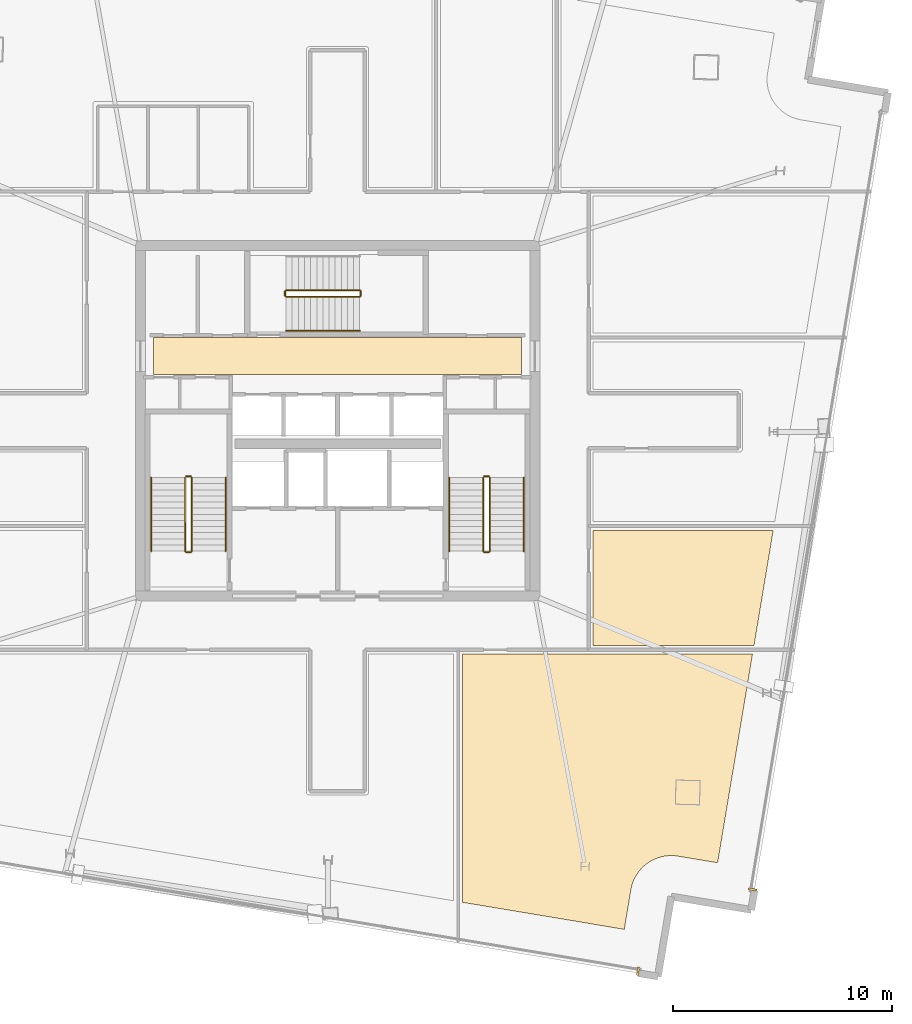
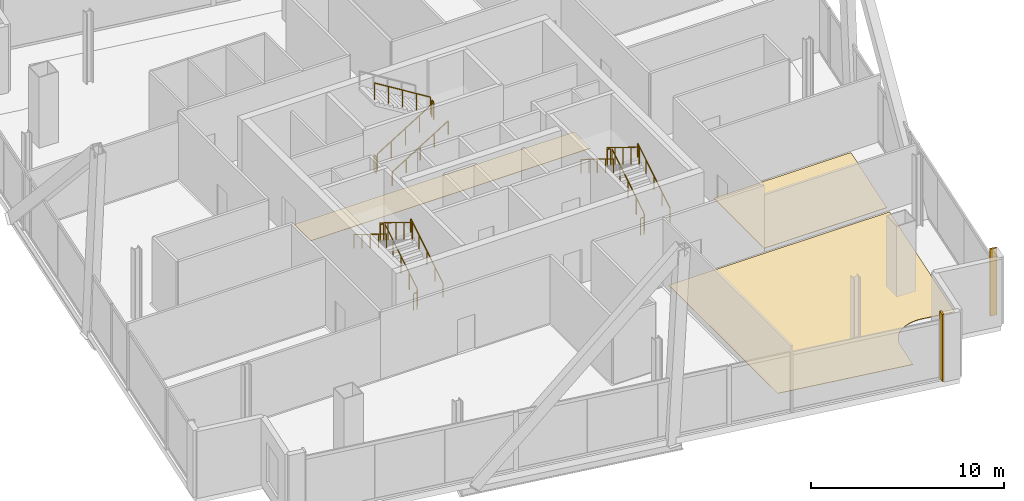
# One storey, part 17 of 18: 17 railings, 5 coverings.
"""IFC4 building model written with IfcOpenShell, lengths in metres."""

from ifc_helpers import new_model, si_unit, direction, frame, origin, origin_2d, place, context, subcontext, project, spatial, polyline, rectangle, outline, extrude, source, transform, mapped, material, layer, layer_set, type_object, element, save


model = new_model("IFC4")

# Units and contexts
model_context = context("Model", 3, precision=1e-05, world=origin(), true_north=direction((0.0, 1.0)))
body_context = subcontext(model_context, "Body", "Model", "MODEL_VIEW")
ifc_project = project(units=[si_unit("LENGTHUNIT", "METRE"), si_unit("AREAUNIT", "SQUARE_METRE"), si_unit("VOLUMEUNIT", "CUBIC_METRE"), si_unit("PLANEANGLEUNIT", "RADIAN"), si_unit("MASSUNIT", "GRAM", prefix="KILO")], contexts=[model_context])

# Site, building, storey
site_placement = place(None, origin())
site = spatial("IfcSite", under=ifc_project, at=site_placement, CompositionType="ELEMENT")
building_placement = place(site_placement, origin())
building = spatial("IfcBuilding", under=site, at=building_placement, Name="Haldenkirk Collegiate Tower", CompositionType="ELEMENT")
storey_placement = place(building_placement, frame((0.0, 0.0, 298.199951171875)))
storey = spatial("IfcBuildingStorey", under=building, at=storey_placement, Name="L75", CompositionType="ELEMENT", Elevation=298.199951171875)

# Coverings
ifc_material_1 = material(Name="Polished collegiate terrazzo", Category="concrete")
ifc_layer_1 = layer(ifc_material_1, 0.02490234375)
ifc_layer_set_1 = layer_set([ifc_layer_1], Name="Polished collegiate terrazzo")
covering_type_1 = type_object("IfcCoveringType", Name="COV-FLOOR-TERRAZZO", PredefinedType="FLOORING", material=ifc_layer_set_1)
covering_1_placement = place(storey_placement, origin())
element("IfcCovering", 1, at=covering_1_placement, inside=storey, type_object=covering_type_1, Name="L75 polished terrazzo lobby finish", PredefinedType="FLOORING", context=body_context, shape_type="SweptSolid", body=[
    extrude(outline(polyline([(27.60009765625, 28.10009765625), (44.39990234375, 28.10009765625), (44.39990234375, 29.800048828125), (27.60009765625, 29.800048828125), (27.60009765625, 28.10009765625)])), origin(), (0.0, 0.0, 1.0), 0.025146484375),
])
covering_2_placement = place(storey_placement, origin())
element("IfcCovering", 2, at=covering_2_placement, inside=storey, type_object=covering_type_1, Name="L75 academic room finish 02", PredefinedType="FLOORING", context=body_context, shape_type="SweptSolid", body=[
    extrude(outline(polyline([(50.810546875, 6.112548828125), (50.79931640625, 6.10986328125), (50.634033203125, 6.063232421875), (50.622802734375, 6.059326171875), (50.462890625, 5.99658203125), (50.4521484375, 5.99169921875), (50.29931640625, 5.913818359375), (50.2890625, 5.90771484375), (50.14453125, 5.81494140625), (50.135009765625, 5.80810546875), (50.0, 5.70166015625), (49.9912109375, 5.69384765625), (49.86767578125, 5.57470703125), (49.859619140625, 5.566162109375), (49.748291015625, 5.435546875), (49.740966796875, 5.42626953125), (49.642822265625, 5.28515625), (49.63671875, 5.275146484375), (49.552978515625, 5.125244140625), (49.547607421875, 5.11474609375), (49.47900390625, 4.957275390625), (49.474853515625, 4.9462890625), (49.421875, 4.782958984375), (49.4189453125, 4.771484375), (49.38232421875, 4.603759765625), (49.381103515625, 4.597900390625), (49.0791015625, 2.793212890625), (41.699951171875, 4.02783203125), (41.699951171875, 15.35009765625), (54.931884765625, 15.35009765625), (53.339111328125, 5.83154296875), (51.5341796875, 6.1337890625), (51.5283203125, 6.134521484375), (51.35791015625, 6.154541015625), (51.345947265625, 6.1552734375), (51.17431640625, 6.158447265625), (51.16259765625, 6.158203125), (50.9912109375, 6.144287109375), (50.979736328125, 6.142822265625), (50.810546875, 6.112548828125)])), origin(), (0.0, 0.0, 1.0), 0.025146484375),
])
covering_3_placement = place(storey_placement, origin())
element("IfcCovering", 3, at=covering_3_placement, inside=storey, type_object=covering_type_1, Name="L75 academic room finish 08", PredefinedType="FLOORING", context=body_context, shape_type="SweptSolid", body=[
    extrude(outline(polyline([(54.998779296875, 15.75), (47.64990234375, 15.75), (47.64990234375, 21.0), (55.87744140625, 21.0), (54.998779296875, 15.75)])), origin(), (0.0, 0.0, 1.0), 0.025146484375),
])

# Railings
ifc_material_2 = material(Name="Painted architectural tubular steel", Category="steel")
railing_type_1 = type_object("IfcRailingType", Name="RLG-STAIR-GUARD-1100", PredefinedType="BALUSTRADE", material=ifc_material_2)
railing_1_placement = place(storey_placement, frame((29.35009765625, 20.050048828125, 0.173095703125)))
element("IfcRailing", 4, at=railing_1_placement, inside=storey, type_object=railing_type_1, Name="L75 ST-1 stair guard 1", PredefinedType="BALUSTRADE", context=body_context, shape_type="SweptSolid", body=[
    extrude(rectangle(XDim=0.048095703125, YDim=0.048095703125, at=origin_2d()), frame((0.0, 0.0, 1.076171875), z_axis=(0.0, 0.850606129759, 0.525803396734), x_axis=(-1.0, 0.0, 0.0)), (0.0, 0.0, 1.0), 3.949951171875),
    extrude(rectangle(XDim=0.0419921875, YDim=0.0419921875, at=origin_2d()), origin(), (0.0, 0.0, 1.0), 1.052001953125),
    extrude(rectangle(XDim=0.0419921875, YDim=0.0419921875, at=origin_2d()), frame((0.0, 0.83984375, 0.519287109375)), (0.0, 0.0, 1.0), 1.052001953125),
    extrude(rectangle(XDim=0.0419921875, YDim=0.0419921875, at=origin_2d()), frame((0.0, 1.679931640625, 1.03857421875)), (0.0, 0.0, 1.0), 1.052001953125),
    extrude(rectangle(XDim=0.0419921875, YDim=0.0419921875, at=origin_2d()), frame((0.0, 2.52001953125, 1.5576171875)), (0.0, 0.0, 1.0), 1.052001953125),
    extrude(rectangle(XDim=0.0419921875, YDim=0.0419921875, at=origin_2d()), frame((0.0, 3.35986328125, 2.076904296875)), (0.0, 0.0, 1.0), 1.052001953125),
])
railing_2_placement = place(storey_placement, frame((29.300048828125, 23.4599609375, 2.25)))
element("IfcRailing", 5, at=railing_2_placement, inside=storey, type_object=railing_type_1, Name="L75 ST-1 stair guard 2", PredefinedType="BALUSTRADE", context=body_context, shape_type="SweptSolid", body=[
    extrude(rectangle(XDim=0.048095703125, YDim=0.048095703125, at=origin_2d()), frame((0.0, 0.0, 1.076171875), z_axis=(-1.0, 0.0, 0.0), x_axis=(0.0, -1.0, 0.0)), (0.0, 0.0, 1.0), 0.199951171875),
    extrude(rectangle(XDim=0.0419921875, YDim=0.0419921875, at=origin_2d()), origin(), (0.0, 0.0, 1.0), 1.052001953125),
    extrude(rectangle(XDim=0.0419921875, YDim=0.0419921875, at=origin_2d()), frame((-0.199951171875, 0.0, 0.0)), (0.0, 0.0, 1.0), 1.052001953125),
])
railing_3_placement = place(storey_placement, frame((29.050048828125, 23.409912109375, 2.423095703125)))
element("IfcRailing", 6, at=railing_3_placement, inside=storey, type_object=railing_type_1, Name="L75 ST-1 stair guard 3", PredefinedType="BALUSTRADE", context=body_context, shape_type="SweptSolid", body=[
    extrude(rectangle(XDim=0.048095703125, YDim=0.048095703125, at=origin_2d()), frame((0.0, 0.0, 1.076171875), z_axis=(0.0, -0.850606129759, 0.525803396734), x_axis=(1.0, 0.0, 0.0)), (0.0, 0.0, 1.0), 3.949951171875),
    extrude(rectangle(XDim=0.0419921875, YDim=0.0419921875, at=origin_2d()), origin(), (0.0, 0.0, 1.0), 1.052001953125),
    extrude(rectangle(XDim=0.0419921875, YDim=0.0419921875, at=origin_2d()), frame((0.0, -0.83984375, 0.519287109375)), (0.0, 0.0, 1.0), 1.052001953125),
    extrude(rectangle(XDim=0.0419921875, YDim=0.0419921875, at=origin_2d()), frame((0.0, -1.679931640625, 1.03857421875)), (0.0, 0.0, 1.0), 1.052001953125),
    extrude(rectangle(XDim=0.0419921875, YDim=0.0419921875, at=origin_2d()), frame((0.0, -2.52001953125, 1.5576171875)), (0.0, 0.0, 1.0), 1.052001953125),
    extrude(rectangle(XDim=0.0419921875, YDim=0.0419921875, at=origin_2d()), frame((0.0, -3.35986328125, 2.076904296875)), (0.0, 0.0, 1.0), 1.052001953125),
])
railing_4_placement = place(storey_placement, frame((29.300048828125, 20.0, 0.0)))
element("IfcRailing", 7, at=railing_4_placement, inside=storey, type_object=railing_type_1, Name="L75 ST-1 stair guard 4", PredefinedType="BALUSTRADE", context=body_context, shape_type="SweptSolid", body=[
    extrude(rectangle(XDim=0.048095703125, YDim=0.048095703125, at=origin_2d()), frame((0.0, 0.0, 1.076171875), z_axis=(-1.0, 0.0, 0.0), x_axis=(0.0, -1.0, 0.0)), (0.0, 0.0, 1.0), 0.199951171875),
    extrude(rectangle(XDim=0.0419921875, YDim=0.0419921875, at=origin_2d()), origin(), (0.0, 0.0, 1.0), 1.052001953125),
    extrude(rectangle(XDim=0.0419921875, YDim=0.0419921875, at=origin_2d()), frame((-0.199951171875, 0.0, 0.0)), (0.0, 0.0, 1.0), 1.052001953125),
])
railing_5_placement = place(storey_placement, frame((42.949951171875, 20.050048828125, 0.173095703125)))
element("IfcRailing", 8, at=railing_5_placement, inside=storey, type_object=railing_type_1, Name="L75 ST-2 stair guard 1", PredefinedType="BALUSTRADE", context=body_context, shape_type="SweptSolid", body=[
    extrude(rectangle(XDim=0.048095703125, YDim=0.048095703125, at=origin_2d()), frame((0.0, 0.0, 1.076171875), z_axis=(0.0, 0.850606129759, 0.525803396734), x_axis=(-1.0, 0.0, 0.0)), (0.0, 0.0, 1.0), 3.949951171875),
    extrude(rectangle(XDim=0.0419921875, YDim=0.0419921875, at=origin_2d()), origin(), (0.0, 0.0, 1.0), 1.052001953125),
    extrude(rectangle(XDim=0.0419921875, YDim=0.0419921875, at=origin_2d()), frame((0.0, 0.83984375, 0.519287109375)), (0.0, 0.0, 1.0), 1.052001953125),
    extrude(rectangle(XDim=0.0419921875, YDim=0.0419921875, at=origin_2d()), frame((0.0, 1.679931640625, 1.03857421875)), (0.0, 0.0, 1.0), 1.052001953125),
    extrude(rectangle(XDim=0.0419921875, YDim=0.0419921875, at=origin_2d()), frame((0.0, 2.52001953125, 1.5576171875)), (0.0, 0.0, 1.0), 1.052001953125),
    extrude(rectangle(XDim=0.0419921875, YDim=0.0419921875, at=origin_2d()), frame((0.0, 3.35986328125, 2.076904296875)), (0.0, 0.0, 1.0), 1.052001953125),
])
railing_6_placement = place(storey_placement, frame((42.89990234375, 23.4599609375, 2.25)))
element("IfcRailing", 9, at=railing_6_placement, inside=storey, type_object=railing_type_1, Name="L75 ST-2 stair guard 2", PredefinedType="BALUSTRADE", context=body_context, shape_type="SweptSolid", body=[
    extrude(rectangle(XDim=0.048095703125, YDim=0.048095703125, at=origin_2d()), frame((0.0, 0.0, 1.076171875), z_axis=(-1.0, 0.0, 0.0), x_axis=(0.0, -1.0, 0.0)), (0.0, 0.0, 1.0), 0.199951171875),
    extrude(rectangle(XDim=0.0419921875, YDim=0.0419921875, at=origin_2d()), origin(), (0.0, 0.0, 1.0), 1.052001953125),
    extrude(rectangle(XDim=0.0419921875, YDim=0.0419921875, at=origin_2d()), frame((-0.199951171875, 0.0, 0.0)), (0.0, 0.0, 1.0), 1.052001953125),
])
railing_7_placement = place(storey_placement, frame((42.64990234375, 23.409912109375, 2.423095703125)))
element("IfcRailing", 10, at=railing_7_placement, inside=storey, type_object=railing_type_1, Name="L75 ST-2 stair guard 3", PredefinedType="BALUSTRADE", context=body_context, shape_type="SweptSolid", body=[
    extrude(rectangle(XDim=0.048095703125, YDim=0.048095703125, at=origin_2d()), frame((0.0, 0.0, 1.076171875), z_axis=(0.0, -0.850606129759, 0.525803396734), x_axis=(1.0, 0.0, 0.0)), (0.0, 0.0, 1.0), 3.949951171875),
    extrude(rectangle(XDim=0.0419921875, YDim=0.0419921875, at=origin_2d()), origin(), (0.0, 0.0, 1.0), 1.052001953125),
    extrude(rectangle(XDim=0.0419921875, YDim=0.0419921875, at=origin_2d()), frame((0.0, -0.83984375, 0.519287109375)), (0.0, 0.0, 1.0), 1.052001953125),
    extrude(rectangle(XDim=0.0419921875, YDim=0.0419921875, at=origin_2d()), frame((0.0, -1.679931640625, 1.03857421875)), (0.0, 0.0, 1.0), 1.052001953125),
    extrude(rectangle(XDim=0.0419921875, YDim=0.0419921875, at=origin_2d()), frame((0.0, -2.52001953125, 1.5576171875)), (0.0, 0.0, 1.0), 1.052001953125),
    extrude(rectangle(XDim=0.0419921875, YDim=0.0419921875, at=origin_2d()), frame((0.0, -3.35986328125, 2.076904296875)), (0.0, 0.0, 1.0), 1.052001953125),
])
railing_8_placement = place(storey_placement, frame((42.89990234375, 20.0, 0.0)))
element("IfcRailing", 11, at=railing_8_placement, inside=storey, type_object=railing_type_1, Name="L75 ST-2 stair guard 4", PredefinedType="BALUSTRADE", context=body_context, shape_type="SweptSolid", body=[
    extrude(rectangle(XDim=0.048095703125, YDim=0.048095703125, at=origin_2d()), frame((0.0, 0.0, 1.076171875), z_axis=(-1.0, 0.0, 0.0), x_axis=(0.0, -1.0, 0.0)), (0.0, 0.0, 1.0), 0.199951171875),
    extrude(rectangle(XDim=0.0419921875, YDim=0.0419921875, at=origin_2d()), origin(), (0.0, 0.0, 1.0), 1.052001953125),
    extrude(rectangle(XDim=0.0419921875, YDim=0.0419921875, at=origin_2d()), frame((-0.199951171875, 0.0, 0.0)), (0.0, 0.0, 1.0), 1.052001953125),
])
railing_9_placement = place(storey_placement, frame((33.64990234375, 31.64990234375, 0.173095703125)))
element("IfcRailing", 12, at=railing_9_placement, inside=storey, type_object=railing_type_1, Name="L75 ST-3 stair guard 1", PredefinedType="BALUSTRADE", context=body_context, shape_type="SweptSolid", body=[
    extrude(rectangle(XDim=0.048095703125, YDim=0.048095703125, at=origin_2d()), frame((0.0, 0.0, 1.076171875), z_axis=(0.850623216509, 0.0, 0.525775754039), x_axis=(0.0, 1.0, 0.0)), (0.0, 0.0, 1.0), 3.9501953125),
    extrude(rectangle(XDim=0.0419921875, YDim=0.0419921875, at=origin_2d()), origin(), (0.0, 0.0, 1.0), 1.052001953125),
    extrude(rectangle(XDim=0.0419921875, YDim=0.0419921875, at=origin_2d()), frame((0.840087890625, 0.0, 0.519287109375)), (0.0, 0.0, 1.0), 1.052001953125),
    extrude(rectangle(XDim=0.0419921875, YDim=0.0419921875, at=origin_2d()), frame((1.68017578125, 0.0, 1.03857421875)), (0.0, 0.0, 1.0), 1.052001953125),
    extrude(rectangle(XDim=0.0419921875, YDim=0.0419921875, at=origin_2d()), frame((2.52001953125, 0.0, 1.5576171875)), (0.0, 0.0, 1.0), 1.052001953125),
    extrude(rectangle(XDim=0.0419921875, YDim=0.0419921875, at=origin_2d()), frame((3.360107421875, 0.0, 2.076904296875)), (0.0, 0.0, 1.0), 1.052001953125),
])
railing_10_placement = place(storey_placement, frame((37.06005859375, 31.699951171875, 2.25)))
element("IfcRailing", 13, at=railing_10_placement, inside=storey, type_object=railing_type_1, Name="L75 ST-3 stair guard 2", PredefinedType="BALUSTRADE", context=body_context, shape_type="SweptSolid", body=[
    extrude(rectangle(XDim=0.048095703125, YDim=0.048095703125, at=origin_2d()), frame((0.0, 0.0, 1.076171875), z_axis=(0.0, 1.0, 0.0), x_axis=(-1.0, 0.0, 0.0)), (0.0, 0.0, 1.0), 0.199951171875),
    extrude(rectangle(XDim=0.0419921875, YDim=0.0419921875, at=origin_2d()), origin(), (0.0, 0.0, 1.0), 1.052001953125),
    extrude(rectangle(XDim=0.0419921875, YDim=0.0419921875, at=origin_2d()), frame((0.0, 0.199951171875, 0.0)), (0.0, 0.0, 1.0), 1.052001953125),
])
railing_11_placement = place(storey_placement, frame((37.010009765625, 31.949951171875, 2.423095703125)))
element("IfcRailing", 14, at=railing_11_placement, inside=storey, type_object=railing_type_1, Name="L75 ST-3 stair guard 3", PredefinedType="BALUSTRADE", context=body_context, shape_type="SweptSolid", body=[
    extrude(rectangle(XDim=0.048095703125, YDim=0.048095703125, at=origin_2d()), frame((0.0, 0.0, 1.076171875), z_axis=(-0.850623216509, 0.0, 0.525775754039), x_axis=(0.0, -1.0, 0.0)), (0.0, 0.0, 1.0), 3.9501953125),
    extrude(rectangle(XDim=0.0419921875, YDim=0.0419921875, at=origin_2d()), origin(), (0.0, 0.0, 1.0), 1.052001953125),
    extrude(rectangle(XDim=0.0419921875, YDim=0.0419921875, at=origin_2d()), frame((-0.840087890625, 0.0, 0.519287109375)), (0.0, 0.0, 1.0), 1.052001953125),
    extrude(rectangle(XDim=0.0419921875, YDim=0.0419921875, at=origin_2d()), frame((-1.68017578125, 0.0, 1.03857421875)), (0.0, 0.0, 1.0), 1.052001953125),
    extrude(rectangle(XDim=0.0419921875, YDim=0.0419921875, at=origin_2d()), frame((-2.52001953125, 0.0, 1.5576171875)), (0.0, 0.0, 1.0), 1.052001953125),
    extrude(rectangle(XDim=0.0419921875, YDim=0.0419921875, at=origin_2d()), frame((-3.360107421875, 0.0, 2.076904296875)), (0.0, 0.0, 1.0), 1.052001953125),
])
railing_12_placement = place(storey_placement, frame((33.60009765625, 31.699951171875, 0.0)))
element("IfcRailing", 15, at=railing_12_placement, inside=storey, type_object=railing_type_1, Name="L75 ST-3 stair guard 4", PredefinedType="BALUSTRADE", context=body_context, shape_type="SweptSolid", body=[
    extrude(rectangle(XDim=0.048095703125, YDim=0.048095703125, at=origin_2d()), frame((0.0, 0.0, 1.076171875), z_axis=(0.0, 1.0, 0.0), x_axis=(-1.0, 0.0, 0.0)), (0.0, 0.0, 1.0), 0.199951171875),
    extrude(rectangle(XDim=0.0419921875, YDim=0.0419921875, at=origin_2d()), origin(), (0.0, 0.0, 1.0), 1.052001953125),
    extrude(rectangle(XDim=0.0419921875, YDim=0.0419921875, at=origin_2d()), frame((0.0, 0.199951171875, 0.0)), (0.0, 0.0, 1.0), 1.052001953125),
])
railing_type_2 = type_object("IfcRailingType", Name="RLG-STAIR-HANDRAIL-900", PredefinedType="HANDRAIL", material=ifc_material_2)
railing_13_placement = place(storey_placement, frame((30.89990234375, 20.050048828125, 0.173095703125)))
element("IfcRailing", 16, at=railing_13_placement, inside=storey, type_object=railing_type_2, Name="L75 ST-1 stair handrail 1", PredefinedType="HANDRAIL", context=body_context, shape_type="SweptSolid", body=[
    extrude(rectangle(XDim=0.048095703125, YDim=0.048095703125, at=origin_2d()), frame((0.0, 0.0, 0.8759765625), z_axis=(0.0, 0.850606129759, 0.525803396734), x_axis=(-1.0, 0.0, 0.0)), (0.0, 0.0, 1.0), 3.949951171875),
    extrude(rectangle(XDim=0.0419921875, YDim=0.0419921875, at=origin_2d()), origin(), (0.0, 0.0, 1.0), 0.851806640625),
    extrude(rectangle(XDim=0.0419921875, YDim=0.0419921875, at=origin_2d()), frame((0.0, 0.83984375, 0.519287109375)), (0.0, 0.0, 1.0), 0.851806640625),
    extrude(rectangle(XDim=0.0419921875, YDim=0.0419921875, at=origin_2d()), frame((0.0, 1.679931640625, 1.03857421875)), (0.0, 0.0, 1.0), 0.851806640625),
    extrude(rectangle(XDim=0.0419921875, YDim=0.0419921875, at=origin_2d()), frame((0.0, 2.52001953125, 1.5576171875)), (0.0, 0.0, 1.0), 0.851806640625),
    extrude(rectangle(XDim=0.0419921875, YDim=0.0419921875, at=origin_2d()), frame((0.0, 3.35986328125, 2.076904296875)), (0.0, 0.0, 1.0), 0.851806640625),
])
railing_14_placement = place(storey_placement, frame((27.5, 23.409912109375, 2.423095703125)))
element("IfcRailing", 17, at=railing_14_placement, inside=storey, type_object=railing_type_2, Name="L75 ST-1 stair handrail 2", PredefinedType="HANDRAIL", context=body_context, shape_type="SweptSolid", body=[
    extrude(rectangle(XDim=0.048095703125, YDim=0.048095703125, at=origin_2d()), frame((0.0, 0.0, 0.8759765625), z_axis=(0.0, -0.850606129759, 0.525803396734), x_axis=(1.0, 0.0, 0.0)), (0.0, 0.0, 1.0), 3.949951171875),
    extrude(rectangle(XDim=0.0419921875, YDim=0.0419921875, at=origin_2d()), origin(), (0.0, 0.0, 1.0), 0.851806640625),
    extrude(rectangle(XDim=0.0419921875, YDim=0.0419921875, at=origin_2d()), frame((0.0, -0.83984375, 0.519287109375)), (0.0, 0.0, 1.0), 0.851806640625),
    extrude(rectangle(XDim=0.0419921875, YDim=0.0419921875, at=origin_2d()), frame((0.0, -1.679931640625, 1.03857421875)), (0.0, 0.0, 1.0), 0.851806640625),
    extrude(rectangle(XDim=0.0419921875, YDim=0.0419921875, at=origin_2d()), frame((0.0, -2.52001953125, 1.5576171875)), (0.0, 0.0, 1.0), 0.851806640625),
    extrude(rectangle(XDim=0.0419921875, YDim=0.0419921875, at=origin_2d()), frame((0.0, -3.35986328125, 2.076904296875)), (0.0, 0.0, 1.0), 0.851806640625),
])
railing_15_placement = place(storey_placement, frame((44.5, 20.050048828125, 0.173095703125)))
element("IfcRailing", 18, at=railing_15_placement, inside=storey, type_object=railing_type_2, Name="L75 ST-2 stair handrail 1", PredefinedType="HANDRAIL", context=body_context, shape_type="SweptSolid", body=[
    extrude(rectangle(XDim=0.048095703125, YDim=0.048095703125, at=origin_2d()), frame((0.0, 0.0, 0.8759765625), z_axis=(0.0, 0.850606129759, 0.525803396734), x_axis=(-1.0, 0.0, 0.0)), (0.0, 0.0, 1.0), 3.949951171875),
    extrude(rectangle(XDim=0.0419921875, YDim=0.0419921875, at=origin_2d()), origin(), (0.0, 0.0, 1.0), 0.851806640625),
    extrude(rectangle(XDim=0.0419921875, YDim=0.0419921875, at=origin_2d()), frame((0.0, 0.83984375, 0.519287109375)), (0.0, 0.0, 1.0), 0.851806640625),
    extrude(rectangle(XDim=0.0419921875, YDim=0.0419921875, at=origin_2d()), frame((0.0, 1.679931640625, 1.03857421875)), (0.0, 0.0, 1.0), 0.851806640625),
    extrude(rectangle(XDim=0.0419921875, YDim=0.0419921875, at=origin_2d()), frame((0.0, 2.52001953125, 1.5576171875)), (0.0, 0.0, 1.0), 0.851806640625),
    extrude(rectangle(XDim=0.0419921875, YDim=0.0419921875, at=origin_2d()), frame((0.0, 3.35986328125, 2.076904296875)), (0.0, 0.0, 1.0), 0.851806640625),
])
railing_16_placement = place(storey_placement, frame((41.10009765625, 23.409912109375, 2.423095703125)))
element("IfcRailing", 19, at=railing_16_placement, inside=storey, type_object=railing_type_2, Name="L75 ST-2 stair handrail 2", PredefinedType="HANDRAIL", context=body_context, shape_type="SweptSolid", body=[
    extrude(rectangle(XDim=0.048095703125, YDim=0.048095703125, at=origin_2d()), frame((0.0, 0.0, 0.8759765625), z_axis=(0.0, -0.850606129759, 0.525803396734), x_axis=(1.0, 0.0, 0.0)), (0.0, 0.0, 1.0), 3.949951171875),
    extrude(rectangle(XDim=0.0419921875, YDim=0.0419921875, at=origin_2d()), origin(), (0.0, 0.0, 1.0), 0.851806640625),
    extrude(rectangle(XDim=0.0419921875, YDim=0.0419921875, at=origin_2d()), frame((0.0, -0.83984375, 0.519287109375)), (0.0, 0.0, 1.0), 0.851806640625),
    extrude(rectangle(XDim=0.0419921875, YDim=0.0419921875, at=origin_2d()), frame((0.0, -1.679931640625, 1.03857421875)), (0.0, 0.0, 1.0), 0.851806640625),
    extrude(rectangle(XDim=0.0419921875, YDim=0.0419921875, at=origin_2d()), frame((0.0, -2.52001953125, 1.5576171875)), (0.0, 0.0, 1.0), 0.851806640625),
    extrude(rectangle(XDim=0.0419921875, YDim=0.0419921875, at=origin_2d()), frame((0.0, -3.35986328125, 2.076904296875)), (0.0, 0.0, 1.0), 0.851806640625),
])
railing_17_placement = place(storey_placement, frame((33.64990234375, 30.10009765625, 0.173095703125)))
element("IfcRailing", 20, at=railing_17_placement, inside=storey, type_object=railing_type_2, Name="L75 ST-3 stair handrail 1", PredefinedType="HANDRAIL", context=body_context, shape_type="SweptSolid", body=[
    extrude(rectangle(XDim=0.048095703125, YDim=0.048095703125, at=origin_2d()), frame((0.0, 0.0, 0.8759765625), z_axis=(0.850623216509, 0.0, 0.525775754039), x_axis=(0.0, 1.0, 0.0)), (0.0, 0.0, 1.0), 3.9501953125),
    extrude(rectangle(XDim=0.0419921875, YDim=0.0419921875, at=origin_2d()), origin(), (0.0, 0.0, 1.0), 0.851806640625),
    extrude(rectangle(XDim=0.0419921875, YDim=0.0419921875, at=origin_2d()), frame((0.840087890625, 0.0, 0.519287109375)), (0.0, 0.0, 1.0), 0.851806640625),
    extrude(rectangle(XDim=0.0419921875, YDim=0.0419921875, at=origin_2d()), frame((1.68017578125, 0.0, 1.03857421875)), (0.0, 0.0, 1.0), 0.851806640625),
    extrude(rectangle(XDim=0.0419921875, YDim=0.0419921875, at=origin_2d()), frame((2.52001953125, 0.0, 1.5576171875)), (0.0, 0.0, 1.0), 0.851806640625),
    extrude(rectangle(XDim=0.0419921875, YDim=0.0419921875, at=origin_2d()), frame((3.360107421875, 0.0, 2.076904296875)), (0.0, 0.0, 1.0), 0.851806640625),
])

# Coverings
ifc_material_3 = material(Name="Anodised architectural bronze aluminium", Category="aluminium")
ifc_layer_2 = layer(ifc_material_3, 0.06005859375)
ifc_layer_set_2 = layer_set([ifc_layer_2], Name="Anodised architectural bronze aluminium")
covering_type_2 = type_object("IfcCoveringType", Name="COV-CLAD-BRONZE-60", PredefinedType="CLADDING", material=ifc_layer_set_2)
shared_shape = source(origin(), body_context, "Body", "SweptSolid", [
    extrude(rectangle(XDim=0.10009765625, YDim=0.3798828125, at=origin_2d()), origin(), (0.0, 0.0, 1.0), 4.239990234375),
])
for number, where, z_axis, x_axis, name in (
    (21, (54.939453125, 4.610595703125, 0.0), (0.0, 0.0, 1.0), (-0.165047605861, -0.986285601537, 0.0), "L75 recessed curtain-wall bronze jamb closure SJR"),
    (22, (49.71240234375, 0.88232421875, 0.0), (0.0, 0.0, 1.0), (-0.986285601537, 0.165047605861, 0.0), "L75 recessed curtain-wall bronze jamb closure WJL"),
):
    element("IfcCovering", number, at=place(storey_placement, frame(where, z_axis=z_axis, x_axis=x_axis)), inside=storey, type_object=covering_type_2, Name=name, PredefinedType="CLADDING", context=body_context, shape_type="MappedRepresentation", body=[
        mapped(shared_shape, transform((0.0, 0.0, 0.0), x_axis=(1.0, 0.0, 0.0), y_axis=(0.0, 1.0, 0.0), z_axis=(0.0, 0.0, 1.0), scale=1.0)),
    ])

save(model, "model.ifc")
